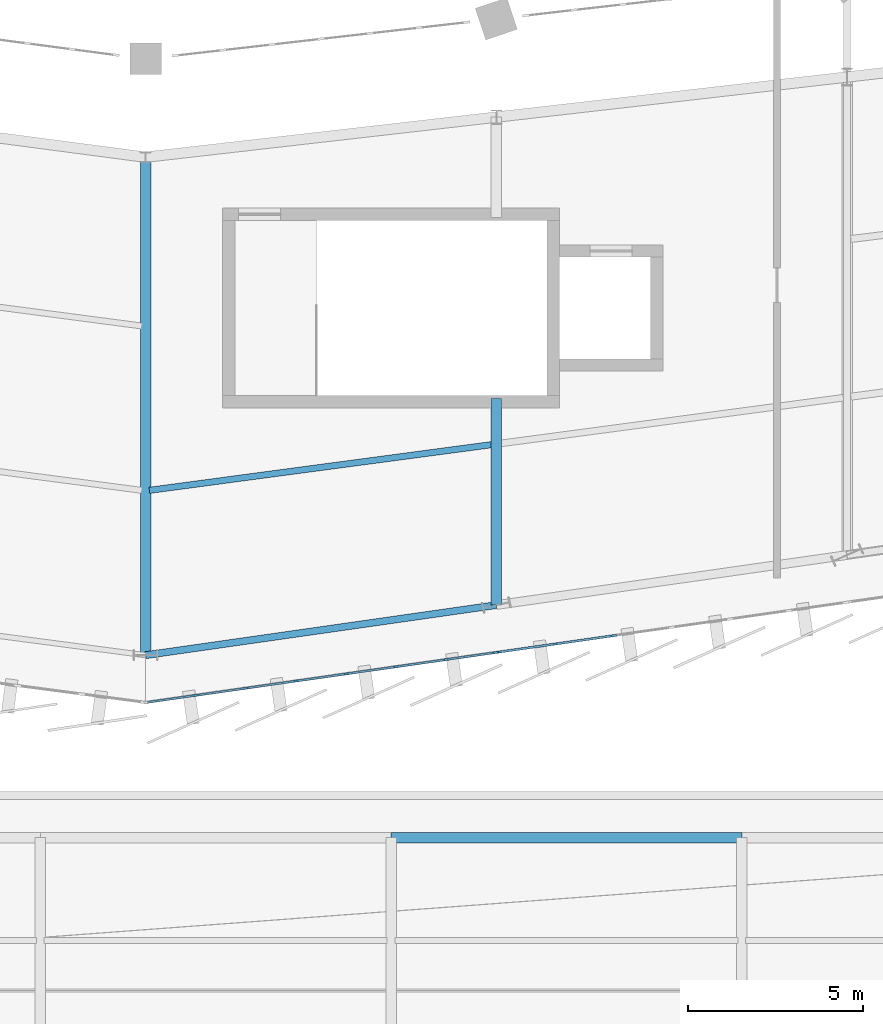
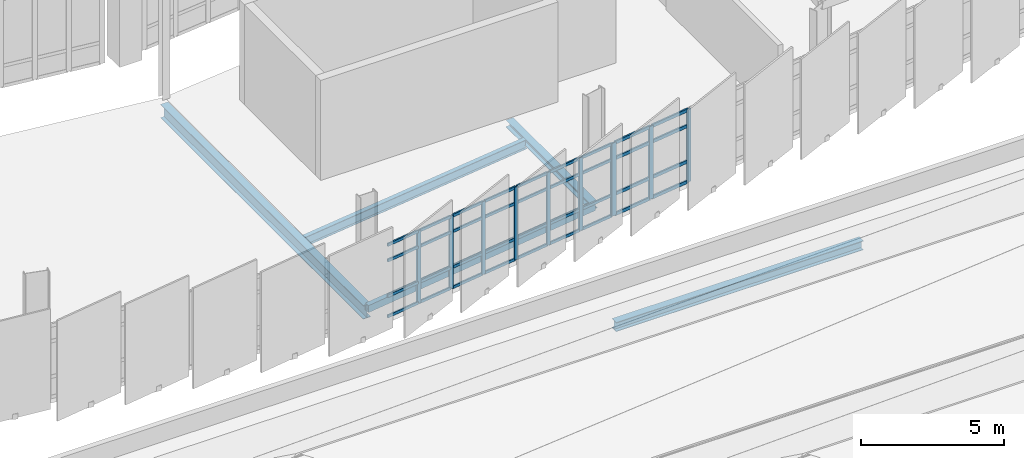
# One storey, part 14 of 67: 46 members, 5 beams, 2 elements without a shape of their own.
"""IFC4 building model written with IfcOpenShell, lengths in metres."""

from ifc_helpers import new_model, si_unit, direction, frame, origin, origin_2d, place, context, subcontext, project, spatial, rectangle, hollow_rectangle, i_section, extrude, material, layer, layer_set, material_profile, profile_set, type_object, element, aggregate, save


model = new_model("IFC4")

# Units and contexts
model_context = context("Model", 3, precision=1e-05, world=origin(), true_north=direction((0.0, 1.0)))
body_context = subcontext(model_context, "Body", "Model", "MODEL_VIEW")
ifc_project = project(units=[si_unit("LENGTHUNIT", "METRE"), si_unit("AREAUNIT", "SQUARE_METRE"), si_unit("VOLUMEUNIT", "CUBIC_METRE"), si_unit("PLANEANGLEUNIT", "RADIAN"), si_unit("MASSUNIT", "GRAM", prefix="KILO")], contexts=[model_context])

# Site, building, storey
site_placement = place(None, origin())
site = spatial("IfcSite", under=ifc_project, at=site_placement, CompositionType="ELEMENT")
building_placement = place(site_placement, origin())
building = spatial("IfcBuilding", under=site, at=building_placement, Name="Sohan Crest Arena", CompositionType="ELEMENT")
storey_placement = place(building_placement, frame((0.0, 0.0, 22.5)))
storey = spatial("IfcBuildingStorey", under=building, at=storey_placement, Name="L05", CompositionType="ELEMENT", Elevation=22.5)

# Curtain wall, members
ifc_material_1 = material(Name="Thermally broken anodised aluminium", Category="aluminium")
ifc_layer_1 = layer(ifc_material_1, 0.179931640625, Name="Thermally broken anodised aluminium")
ifc_layer_set_1 = layer_set([ifc_layer_1], Name="Thermally broken anodised aluminium")
curtain_wall_type_1 = type_object("IfcCurtainWallType", Name="ARC-CW01", PredefinedType="NOTDEFINED", material=ifc_layer_set_1)
curtain_wall_1_placement = place(storey_placement, origin())
curtain_wall_1 = element("IfcCurtainWall", 1, at=curtain_wall_1_placement, inside=storey, type_object=curtain_wall_type_1, Name="Unitised curtain wall CW-158", PredefinedType="NOTDEFINED")
ifc_material_profile_1 = material_profile(ifc_material_1, rectangle(XDim=0.06005859375, YDim=0.159912109375, at=origin_2d()), Name="ALU-MULL 60x160")
ifc_profile_set_1 = profile_set([ifc_material_profile_1], Name="Thermally broken anodised aluminium")
member_type_1 = type_object("IfcMemberType", Name="ARC-CW-ML01", PredefinedType="MULLION", material=ifc_profile_set_1)
member_1_placement = place(storey_placement, frame((99.428466796875, 28.854248046875, 0.0), z_axis=(0.0, 0.0, 1.0), x_axis=(-0.141462933734, 0.989943553128, 0.0)))
member_1 = element("IfcMember", 2, at=member_1_placement, type_object=member_type_1, Name="CW-158 mullion 2", PredefinedType="MULLION", context=body_context, shape_type="SweptSolid", body=[
    extrude(rectangle(XDim=0.06005859375, YDim=0.159912109375, at=origin_2d()), origin(), (0.0, 0.0, 1.0), 3.1201171875),
])
member_2_placement = place(storey_placement, frame((100.857177734375, 29.058349609375, 0.0), z_axis=(0.0, 0.0, 1.0), x_axis=(-0.141462933734, 0.989943553128, 0.0)))
member_2 = element("IfcMember", 3, at=member_2_placement, type_object=member_type_1, Name="CW-158 mullion 3", PredefinedType="MULLION", context=body_context, shape_type="SweptSolid", body=[
    extrude(rectangle(XDim=0.06005859375, YDim=0.159912109375, at=origin_2d()), origin(), (0.0, 0.0, 1.0), 3.1201171875),
])
member_3_placement = place(storey_placement, frame((102.28564453125, 29.262451171875, 0.0), z_axis=(0.0, 0.0, 1.0), x_axis=(-0.141462933734, 0.989943553128, 0.0)))
member_3 = element("IfcMember", 4, at=member_3_placement, type_object=member_type_1, Name="CW-158 mullion 4", PredefinedType="MULLION", context=body_context, shape_type="SweptSolid", body=[
    extrude(rectangle(XDim=0.06005859375, YDim=0.159912109375, at=origin_2d()), origin(), (0.0, 0.0, 1.0), 3.1201171875),
])
member_4_placement = place(storey_placement, frame((103.71435546875, 29.466552734375, 0.0), z_axis=(0.0, 0.0, 1.0), x_axis=(-0.141462933734, 0.989943553128, 0.0)))
member_4 = element("IfcMember", 5, at=member_4_placement, type_object=member_type_1, Name="CW-158 mullion 5", PredefinedType="MULLION", context=body_context, shape_type="SweptSolid", body=[
    extrude(rectangle(XDim=0.06005859375, YDim=0.159912109375, at=origin_2d()), origin(), (0.0, 0.0, 1.0), 3.1201171875),
])
member_5_placement = place(storey_placement, frame((105.142822265625, 29.670654296875, 0.0), z_axis=(0.0, 0.0, 1.0), x_axis=(-0.141462933734, 0.989943553128, 0.0)))
member_5 = element("IfcMember", 6, at=member_5_placement, type_object=member_type_1, Name="CW-158 mullion 6", PredefinedType="MULLION", context=body_context, shape_type="SweptSolid", body=[
    extrude(rectangle(XDim=0.06005859375, YDim=0.159912109375, at=origin_2d()), origin(), (0.0, 0.0, 1.0), 3.1201171875),
])
member_6_placement = place(storey_placement, frame((106.571533203125, 29.874755859375, 0.0), z_axis=(0.0, 0.0, 1.0), x_axis=(-0.141462933734, 0.989943553128, 0.0)))
member_6 = element("IfcMember", 7, at=member_6_placement, type_object=member_type_1, Name="CW-158 mullion 7", PredefinedType="MULLION", context=body_context, shape_type="SweptSolid", body=[
    extrude(rectangle(XDim=0.06005859375, YDim=0.159912109375, at=origin_2d()), origin(), (0.0, 0.0, 1.0), 3.1201171875),
])
member_7_placement = place(storey_placement, frame((107.97021484375, 30.07470703125, 0.0), z_axis=(0.0, 0.0, 1.0), x_axis=(-0.141462933734, 0.989943553128, 0.0)))
member_7 = element("IfcMember", 8, at=member_7_placement, type_object=member_type_1, Name="CW-158 mullion 8", PredefinedType="MULLION", context=body_context, shape_type="SweptSolid", body=[
    extrude(rectangle(XDim=0.06005859375, YDim=0.159912109375, at=origin_2d()), origin(), (0.0, 0.0, 1.0), 3.1201171875),
])

ifc_layer_2 = layer(ifc_material_1, 0.199951171875, Name="Thermally broken anodised aluminium")
ifc_layer_set_2 = layer_set([ifc_layer_2], Name="Thermally broken anodised aluminium")
curtain_wall_type_2 = type_object("IfcCurtainWallType", Name="ARC-CW02", PredefinedType="NOTDEFINED", material=ifc_layer_set_2)
curtain_wall_2_placement = place(storey_placement, origin())
curtain_wall_2 = element("IfcCurtainWall", 9, at=curtain_wall_2_placement, inside=storey, type_object=curtain_wall_type_2, Name="Unitised curtain wall CW-159", PredefinedType="NOTDEFINED")
ifc_material_profile_2 = material_profile(ifc_material_1, rectangle(XDim=0.06494140625, YDim=0.179931640625, at=origin_2d()), Name="ALU-MULL 65x180")
ifc_profile_set_2 = profile_set([ifc_material_profile_2], Name="Thermally broken anodised aluminium")
member_type_2 = type_object("IfcMemberType", Name="ARC-CW-ML02", PredefinedType="MULLION", material=ifc_profile_set_2)
member_8_placement = place(storey_placement, frame((108.0322265625, 30.08349609375, 0.0), z_axis=(0.0, 0.0, 1.0), x_axis=(-0.141365918403, 0.989957411768, 0.0)))
member_8 = element("IfcMember", 10, at=member_8_placement, type_object=member_type_2, Name="CW-159 mullion 1", PredefinedType="MULLION", context=body_context, shape_type="SweptSolid", body=[
    extrude(rectangle(XDim=0.06494140625, YDim=0.179931640625, at=origin_2d()), origin(), (0.0, 0.0, 1.0), 3.1201171875),
])
member_9_placement = place(storey_placement, frame((109.666748046875, 30.31689453125, 0.0), z_axis=(0.0, 0.0, 1.0), x_axis=(-0.141365918403, 0.989957411768, 0.0)))
member_9 = element("IfcMember", 11, at=member_9_placement, type_object=member_type_2, Name="CW-159 mullion 2", PredefinedType="MULLION", context=body_context, shape_type="SweptSolid", body=[
    extrude(rectangle(XDim=0.06494140625, YDim=0.179931640625, at=origin_2d()), origin(), (0.0, 0.0, 1.0), 3.1201171875),
])
member_10_placement = place(storey_placement, frame((111.333251953125, 30.554931640625, 0.0), z_axis=(0.0, 0.0, 1.0), x_axis=(-0.141365918403, 0.989957411768, 0.0)))
member_10 = element("IfcMember", 12, at=member_10_placement, type_object=member_type_2, Name="CW-159 mullion 3", PredefinedType="MULLION", context=body_context, shape_type="SweptSolid", body=[
    extrude(rectangle(XDim=0.06494140625, YDim=0.179931640625, at=origin_2d()), origin(), (0.0, 0.0, 1.0), 3.1201171875),
])

# Member
ifc_material_profile_3 = material_profile(ifc_material_1, rectangle(XDim=0.06005859375, YDim=0.1201171875, at=origin_2d()), Name="ALU-TRAN 60x120")
ifc_profile_set_3 = profile_set([ifc_material_profile_3], Name="Thermally broken anodised aluminium")
member_type_3 = type_object("IfcMemberType", Name="ARC-CW-TR01", PredefinedType="USERDEFINED", material=ifc_profile_set_3)
member_11_placement = place(storey_placement, frame((98.059326171875, 28.658447265625, 0.030029296875), z_axis=(0.989945885007, 0.141446614515, 0.0), x_axis=(-0.141446614515, 0.989945885007, 0.0)))
member_11 = element("IfcMember", 13, at=member_11_placement, type_object=member_type_3, Name="CW-158 transom 1.1", ObjectType="TRANSOM", PredefinedType="USERDEFINED", context=body_context, shape_type="SweptSolid", body=[
    extrude(rectangle(XDim=0.06005859375, YDim=0.1201171875, at=origin_2d()), origin(), (0.0, 0.0, 1.0), 1.353271484375),
])

member_12_placement = place(storey_placement, frame((98.059326171875, 28.658447265625, 0.89990234375), z_axis=(0.989945885007, 0.141446614515, 0.0), x_axis=(-0.141446614515, 0.989945885007, 0.0)))
member_12 = element("IfcMember", 14, at=member_12_placement, type_object=member_type_3, Name="CW-158 transom 1.2", ObjectType="TRANSOM", PredefinedType="USERDEFINED", context=body_context, shape_type="SweptSolid", body=[
    extrude(rectangle(XDim=0.06005859375, YDim=0.1201171875, at=origin_2d()), origin(), (0.0, 0.0, 1.0), 1.353271484375),
])

member_13_placement = place(storey_placement, frame((98.059326171875, 28.658447265625, 2.419921875), z_axis=(0.989945885007, 0.141446614515, 0.0), x_axis=(-0.141446614515, 0.989945885007, 0.0)))
member_13 = element("IfcMember", 15, at=member_13_placement, type_object=member_type_3, Name="CW-158 transom 1.3", ObjectType="TRANSOM", PredefinedType="USERDEFINED", context=body_context, shape_type="SweptSolid", body=[
    extrude(rectangle(XDim=0.06005859375, YDim=0.1201171875, at=origin_2d()), origin(), (0.0, 0.0, 1.0), 1.353271484375),
])

member_14_placement = place(storey_placement, frame((98.059326171875, 28.658447265625, 3.090087890625), z_axis=(0.989945885007, 0.141446614515, 0.0), x_axis=(-0.141446614515, 0.989945885007, 0.0)))
member_14 = element("IfcMember", 16, at=member_14_placement, type_object=member_type_3, Name="CW-158 transom 1.4", ObjectType="TRANSOM", PredefinedType="USERDEFINED", context=body_context, shape_type="SweptSolid", body=[
    extrude(rectangle(XDim=0.06005859375, YDim=0.1201171875, at=origin_2d()), origin(), (0.0, 0.0, 1.0), 1.353271484375),
])

member_15_placement = place(storey_placement, frame((99.458251953125, 28.8583984375, 0.030029296875), z_axis=(0.989953023856, 0.141396642673, 0.0), x_axis=(-0.141396642673, 0.989953023856, 0.0)))
member_15 = element("IfcMember", 17, at=member_15_placement, type_object=member_type_3, Name="CW-158 transom 2.1", ObjectType="TRANSOM", PredefinedType="USERDEFINED", context=body_context, shape_type="SweptSolid", body=[
    extrude(rectangle(XDim=0.06005859375, YDim=0.1201171875, at=origin_2d()), origin(), (0.0, 0.0, 1.0), 1.383056640625),
])

member_16_placement = place(storey_placement, frame((99.458251953125, 28.8583984375, 0.89990234375), z_axis=(0.989953023856, 0.141396642673, 0.0), x_axis=(-0.141396642673, 0.989953023856, 0.0)))
member_16 = element("IfcMember", 18, at=member_16_placement, type_object=member_type_3, Name="CW-158 transom 2.2", ObjectType="TRANSOM", PredefinedType="USERDEFINED", context=body_context, shape_type="SweptSolid", body=[
    extrude(rectangle(XDim=0.06005859375, YDim=0.1201171875, at=origin_2d()), origin(), (0.0, 0.0, 1.0), 1.383056640625),
])

member_17_placement = place(storey_placement, frame((99.458251953125, 28.8583984375, 2.419921875), z_axis=(0.989953023856, 0.141396642673, 0.0), x_axis=(-0.141396642673, 0.989953023856, 0.0)))
member_17 = element("IfcMember", 19, at=member_17_placement, type_object=member_type_3, Name="CW-158 transom 2.3", ObjectType="TRANSOM", PredefinedType="USERDEFINED", context=body_context, shape_type="SweptSolid", body=[
    extrude(rectangle(XDim=0.06005859375, YDim=0.1201171875, at=origin_2d()), origin(), (0.0, 0.0, 1.0), 1.383056640625),
])

member_18_placement = place(storey_placement, frame((99.458251953125, 28.8583984375, 3.090087890625), z_axis=(0.989953023856, 0.141396642673, 0.0), x_axis=(-0.141396642673, 0.989953023856, 0.0)))
member_18 = element("IfcMember", 20, at=member_18_placement, type_object=member_type_3, Name="CW-158 transom 2.4", ObjectType="TRANSOM", PredefinedType="USERDEFINED", context=body_context, shape_type="SweptSolid", body=[
    extrude(rectangle(XDim=0.06005859375, YDim=0.1201171875, at=origin_2d()), origin(), (0.0, 0.0, 1.0), 1.383056640625),
])

member_19_placement = place(storey_placement, frame((100.886962890625, 29.0625, 0.030029296875), z_axis=(0.989928300068, 0.141569632071, 0.0), x_axis=(-0.141569632071, 0.989928300068, 0.0)))
member_19 = element("IfcMember", 21, at=member_19_placement, type_object=member_type_3, Name="CW-158 transom 3.1", ObjectType="TRANSOM", PredefinedType="USERDEFINED", context=body_context, shape_type="SweptSolid", body=[
    extrude(rectangle(XDim=0.06005859375, YDim=0.1201171875, at=origin_2d()), origin(), (0.0, 0.0, 1.0), 1.383056640625),
])

member_20_placement = place(storey_placement, frame((100.886962890625, 29.0625, 0.89990234375), z_axis=(0.989928300068, 0.141569632071, 0.0), x_axis=(-0.141569632071, 0.989928300068, 0.0)))
member_20 = element("IfcMember", 22, at=member_20_placement, type_object=member_type_3, Name="CW-158 transom 3.2", ObjectType="TRANSOM", PredefinedType="USERDEFINED", context=body_context, shape_type="SweptSolid", body=[
    extrude(rectangle(XDim=0.06005859375, YDim=0.1201171875, at=origin_2d()), origin(), (0.0, 0.0, 1.0), 1.383056640625),
])

member_21_placement = place(storey_placement, frame((100.886962890625, 29.0625, 2.419921875), z_axis=(0.989928300068, 0.141569632071, 0.0), x_axis=(-0.141569632071, 0.989928300068, 0.0)))
member_21 = element("IfcMember", 23, at=member_21_placement, type_object=member_type_3, Name="CW-158 transom 3.3", ObjectType="TRANSOM", PredefinedType="USERDEFINED", context=body_context, shape_type="SweptSolid", body=[
    extrude(rectangle(XDim=0.06005859375, YDim=0.1201171875, at=origin_2d()), origin(), (0.0, 0.0, 1.0), 1.383056640625),
])

member_22_placement = place(storey_placement, frame((100.886962890625, 29.0625, 3.090087890625), z_axis=(0.989928300068, 0.141569632071, 0.0), x_axis=(-0.141569632071, 0.989928300068, 0.0)))
member_22 = element("IfcMember", 24, at=member_22_placement, type_object=member_type_3, Name="CW-158 transom 3.4", ObjectType="TRANSOM", PredefinedType="USERDEFINED", context=body_context, shape_type="SweptSolid", body=[
    extrude(rectangle(XDim=0.06005859375, YDim=0.1201171875, at=origin_2d()), origin(), (0.0, 0.0, 1.0), 1.383056640625),
])

member_23_placement = place(storey_placement, frame((102.3154296875, 29.2666015625, 0.030029296875), z_axis=(0.989928300068, 0.141569632071, 0.0), x_axis=(-0.141569632071, 0.989928300068, 0.0)))
member_23 = element("IfcMember", 25, at=member_23_placement, type_object=member_type_3, Name="CW-158 transom 4.1", ObjectType="TRANSOM", PredefinedType="USERDEFINED", context=body_context, shape_type="SweptSolid", body=[
    extrude(rectangle(XDim=0.06005859375, YDim=0.1201171875, at=origin_2d()), origin(), (0.0, 0.0, 1.0), 1.383056640625),
])

member_24_placement = place(storey_placement, frame((102.3154296875, 29.2666015625, 0.89990234375), z_axis=(0.989928300068, 0.141569632071, 0.0), x_axis=(-0.141569632071, 0.989928300068, 0.0)))
member_24 = element("IfcMember", 26, at=member_24_placement, type_object=member_type_3, Name="CW-158 transom 4.2", ObjectType="TRANSOM", PredefinedType="USERDEFINED", context=body_context, shape_type="SweptSolid", body=[
    extrude(rectangle(XDim=0.06005859375, YDim=0.1201171875, at=origin_2d()), origin(), (0.0, 0.0, 1.0), 1.383056640625),
])

member_25_placement = place(storey_placement, frame((102.3154296875, 29.2666015625, 2.419921875), z_axis=(0.989928300068, 0.141569632071, 0.0), x_axis=(-0.141569632071, 0.989928300068, 0.0)))
member_25 = element("IfcMember", 27, at=member_25_placement, type_object=member_type_3, Name="CW-158 transom 4.3", ObjectType="TRANSOM", PredefinedType="USERDEFINED", context=body_context, shape_type="SweptSolid", body=[
    extrude(rectangle(XDim=0.06005859375, YDim=0.1201171875, at=origin_2d()), origin(), (0.0, 0.0, 1.0), 1.383056640625),
])

member_26_placement = place(storey_placement, frame((102.3154296875, 29.2666015625, 3.090087890625), z_axis=(0.989928300068, 0.141569632071, 0.0), x_axis=(-0.141569632071, 0.989928300068, 0.0)))
member_26 = element("IfcMember", 28, at=member_26_placement, type_object=member_type_3, Name="CW-158 transom 4.4", ObjectType="TRANSOM", PredefinedType="USERDEFINED", context=body_context, shape_type="SweptSolid", body=[
    extrude(rectangle(XDim=0.06005859375, YDim=0.1201171875, at=origin_2d()), origin(), (0.0, 0.0, 1.0), 1.383056640625),
])

member_27_placement = place(storey_placement, frame((103.743896484375, 29.470703125, 0.030029296875), z_axis=(0.989928300068, 0.141569632071, 0.0), x_axis=(-0.141569632071, 0.989928300068, 0.0)))
member_27 = element("IfcMember", 29, at=member_27_placement, type_object=member_type_3, Name="CW-158 transom 5.1", ObjectType="TRANSOM", PredefinedType="USERDEFINED", context=body_context, shape_type="SweptSolid", body=[
    extrude(rectangle(XDim=0.06005859375, YDim=0.1201171875, at=origin_2d()), origin(), (0.0, 0.0, 1.0), 1.383056640625),
])

member_28_placement = place(storey_placement, frame((103.743896484375, 29.470703125, 0.89990234375), z_axis=(0.989928300068, 0.141569632071, 0.0), x_axis=(-0.141569632071, 0.989928300068, 0.0)))
member_28 = element("IfcMember", 30, at=member_28_placement, type_object=member_type_3, Name="CW-158 transom 5.2", ObjectType="TRANSOM", PredefinedType="USERDEFINED", context=body_context, shape_type="SweptSolid", body=[
    extrude(rectangle(XDim=0.06005859375, YDim=0.1201171875, at=origin_2d()), origin(), (0.0, 0.0, 1.0), 1.383056640625),
])

member_29_placement = place(storey_placement, frame((103.743896484375, 29.470703125, 2.419921875), z_axis=(0.989928300068, 0.141569632071, 0.0), x_axis=(-0.141569632071, 0.989928300068, 0.0)))
member_29 = element("IfcMember", 31, at=member_29_placement, type_object=member_type_3, Name="CW-158 transom 5.3", ObjectType="TRANSOM", PredefinedType="USERDEFINED", context=body_context, shape_type="SweptSolid", body=[
    extrude(rectangle(XDim=0.06005859375, YDim=0.1201171875, at=origin_2d()), origin(), (0.0, 0.0, 1.0), 1.383056640625),
])

member_30_placement = place(storey_placement, frame((103.743896484375, 29.470703125, 3.090087890625), z_axis=(0.989928300068, 0.141569632071, 0.0), x_axis=(-0.141569632071, 0.989928300068, 0.0)))
member_30 = element("IfcMember", 32, at=member_30_placement, type_object=member_type_3, Name="CW-158 transom 5.4", ObjectType="TRANSOM", PredefinedType="USERDEFINED", context=body_context, shape_type="SweptSolid", body=[
    extrude(rectangle(XDim=0.06005859375, YDim=0.1201171875, at=origin_2d()), origin(), (0.0, 0.0, 1.0), 1.383056640625),
])

member_31_placement = place(storey_placement, frame((105.172607421875, 29.675048828125, 0.030029296875), z_axis=(0.989953023856, 0.141396642673, 0.0), x_axis=(-0.141396642673, 0.989953023856, 0.0)))
member_31 = element("IfcMember", 33, at=member_31_placement, type_object=member_type_3, Name="CW-158 transom 6.1", ObjectType="TRANSOM", PredefinedType="USERDEFINED", context=body_context, shape_type="SweptSolid", body=[
    extrude(rectangle(XDim=0.06005859375, YDim=0.1201171875, at=origin_2d()), origin(), (0.0, 0.0, 1.0), 1.383056640625),
])

member_32_placement = place(storey_placement, frame((105.172607421875, 29.675048828125, 0.89990234375), z_axis=(0.989953023856, 0.141396642673, 0.0), x_axis=(-0.141396642673, 0.989953023856, 0.0)))
member_32 = element("IfcMember", 34, at=member_32_placement, type_object=member_type_3, Name="CW-158 transom 6.2", ObjectType="TRANSOM", PredefinedType="USERDEFINED", context=body_context, shape_type="SweptSolid", body=[
    extrude(rectangle(XDim=0.06005859375, YDim=0.1201171875, at=origin_2d()), origin(), (0.0, 0.0, 1.0), 1.383056640625),
])

member_33_placement = place(storey_placement, frame((105.172607421875, 29.675048828125, 2.419921875), z_axis=(0.989953023856, 0.141396642673, 0.0), x_axis=(-0.141396642673, 0.989953023856, 0.0)))
member_33 = element("IfcMember", 35, at=member_33_placement, type_object=member_type_3, Name="CW-158 transom 6.3", ObjectType="TRANSOM", PredefinedType="USERDEFINED", context=body_context, shape_type="SweptSolid", body=[
    extrude(rectangle(XDim=0.06005859375, YDim=0.1201171875, at=origin_2d()), origin(), (0.0, 0.0, 1.0), 1.383056640625),
])

member_34_placement = place(storey_placement, frame((105.172607421875, 29.675048828125, 3.090087890625), z_axis=(0.989953023856, 0.141396642673, 0.0), x_axis=(-0.141396642673, 0.989953023856, 0.0)))
member_34 = element("IfcMember", 36, at=member_34_placement, type_object=member_type_3, Name="CW-158 transom 6.4", ObjectType="TRANSOM", PredefinedType="USERDEFINED", context=body_context, shape_type="SweptSolid", body=[
    extrude(rectangle(XDim=0.06005859375, YDim=0.1201171875, at=origin_2d()), origin(), (0.0, 0.0, 1.0), 1.383056640625),
])

member_35_placement = place(storey_placement, frame((106.60107421875, 29.879150390625, 0.030029296875), z_axis=(0.989945885007, 0.141446614515, 0.0), x_axis=(-0.141446614515, 0.989945885007, 0.0)))
member_35 = element("IfcMember", 37, at=member_35_placement, type_object=member_type_3, Name="CW-158 transom 7.1", ObjectType="TRANSOM", PredefinedType="USERDEFINED", context=body_context, shape_type="SweptSolid", body=[
    extrude(rectangle(XDim=0.06005859375, YDim=0.1201171875, at=origin_2d()), origin(), (0.0, 0.0, 1.0), 1.353271484375),
])

member_36_placement = place(storey_placement, frame((106.60107421875, 29.879150390625, 0.89990234375), z_axis=(0.989945885007, 0.141446614515, 0.0), x_axis=(-0.141446614515, 0.989945885007, 0.0)))
member_36 = element("IfcMember", 38, at=member_36_placement, type_object=member_type_3, Name="CW-158 transom 7.2", ObjectType="TRANSOM", PredefinedType="USERDEFINED", context=body_context, shape_type="SweptSolid", body=[
    extrude(rectangle(XDim=0.06005859375, YDim=0.1201171875, at=origin_2d()), origin(), (0.0, 0.0, 1.0), 1.353271484375),
])

member_37_placement = place(storey_placement, frame((106.60107421875, 29.879150390625, 2.419921875), z_axis=(0.989945885007, 0.141446614515, 0.0), x_axis=(-0.141446614515, 0.989945885007, 0.0)))
member_37 = element("IfcMember", 39, at=member_37_placement, type_object=member_type_3, Name="CW-158 transom 7.3", ObjectType="TRANSOM", PredefinedType="USERDEFINED", context=body_context, shape_type="SweptSolid", body=[
    extrude(rectangle(XDim=0.06005859375, YDim=0.1201171875, at=origin_2d()), origin(), (0.0, 0.0, 1.0), 1.353271484375),
])

member_38_placement = place(storey_placement, frame((106.60107421875, 29.879150390625, 3.090087890625), z_axis=(0.989945885007, 0.141446614515, 0.0), x_axis=(-0.141446614515, 0.989945885007, 0.0)))
member_38 = element("IfcMember", 40, at=member_38_placement, type_object=member_type_3, Name="CW-158 transom 7.4", ObjectType="TRANSOM", PredefinedType="USERDEFINED", context=body_context, shape_type="SweptSolid", body=[
    extrude(rectangle(XDim=0.06005859375, YDim=0.1201171875, at=origin_2d()), origin(), (0.0, 0.0, 1.0), 1.353271484375),
])

aggregate(curtain_wall_1, [member_1, member_2, member_3, member_4, member_5, member_6, member_7, member_11, member_12, member_13, member_14, member_15, member_16, member_17, member_18, member_19, member_20, member_21, member_22, member_23, member_24, member_25, member_26, member_27, member_28, member_29, member_30, member_31, member_32, member_33, member_34, member_35, member_36, member_37, member_38])

ifc_material_profile_4 = material_profile(ifc_material_1, rectangle(XDim=0.06494140625, YDim=0.139892578125, at=origin_2d()), Name="ALU-TRAN 65x140")
ifc_profile_set_4 = profile_set([ifc_material_profile_4], Name="Thermally broken anodised aluminium")
member_type_4 = type_object("IfcMemberType", Name="ARC-CW-TR02", PredefinedType="USERDEFINED", material=ifc_profile_set_4)
member_39_placement = place(storey_placement, frame((108.064453125, 30.088134765625, 0.032470703125), z_axis=(0.989943335402, 0.141464457353, 0.0), x_axis=(-0.141464457353, 0.989943335402, 0.0)))
member_39 = element("IfcMember", 41, at=member_39_placement, type_object=member_type_4, Name="CW-159 transom 1.1", ObjectType="TRANSOM", PredefinedType="USERDEFINED", context=body_context, shape_type="SweptSolid", body=[
    extrude(rectangle(XDim=0.06494140625, YDim=0.139892578125, at=origin_2d()), origin(), (0.0, 0.0, 1.0), 1.5859375),
])

member_40_placement = place(storey_placement, frame((108.064453125, 30.088134765625, 0.89990234375), z_axis=(0.989943335402, 0.141464457353, 0.0), x_axis=(-0.141464457353, 0.989943335402, 0.0)))
member_40 = element("IfcMember", 42, at=member_40_placement, type_object=member_type_4, Name="CW-159 transom 1.2", ObjectType="TRANSOM", PredefinedType="USERDEFINED", context=body_context, shape_type="SweptSolid", body=[
    extrude(rectangle(XDim=0.06494140625, YDim=0.139892578125, at=origin_2d()), origin(), (0.0, 0.0, 1.0), 1.5859375),
])

member_41_placement = place(storey_placement, frame((108.064453125, 30.088134765625, 2.419921875), z_axis=(0.989943335402, 0.141464457353, 0.0), x_axis=(-0.141464457353, 0.989943335402, 0.0)))
member_41 = element("IfcMember", 43, at=member_41_placement, type_object=member_type_4, Name="CW-159 transom 1.3", ObjectType="TRANSOM", PredefinedType="USERDEFINED", context=body_context, shape_type="SweptSolid", body=[
    extrude(rectangle(XDim=0.06494140625, YDim=0.139892578125, at=origin_2d()), origin(), (0.0, 0.0, 1.0), 1.5859375),
])

member_42_placement = place(storey_placement, frame((108.064453125, 30.088134765625, 3.08740234375), z_axis=(0.989943335402, 0.141464457353, 0.0), x_axis=(-0.141464457353, 0.989943335402, 0.0)))
member_42 = element("IfcMember", 44, at=member_42_placement, type_object=member_type_4, Name="CW-159 transom 1.4", ObjectType="TRANSOM", PredefinedType="USERDEFINED", context=body_context, shape_type="SweptSolid", body=[
    extrude(rectangle(XDim=0.06494140625, YDim=0.139892578125, at=origin_2d()), origin(), (0.0, 0.0, 1.0), 1.5859375),
])

member_43_placement = place(storey_placement, frame((109.69873046875, 30.321533203125, 0.032470703125), z_axis=(0.989964569759, 0.141315783343, 0.0), x_axis=(-0.141315783343, 0.989964569759, 0.0)))
member_43 = element("IfcMember", 45, at=member_43_placement, type_object=member_type_4, Name="CW-159 transom 2.1", ObjectType="TRANSOM", PredefinedType="USERDEFINED", context=body_context, shape_type="SweptSolid", body=[
    extrude(rectangle(XDim=0.06494140625, YDim=0.139892578125, at=origin_2d()), origin(), (0.0, 0.0, 1.0), 1.618896484375),
])

member_44_placement = place(storey_placement, frame((109.69873046875, 30.321533203125, 0.89990234375), z_axis=(0.989964569759, 0.141315783343, 0.0), x_axis=(-0.141315783343, 0.989964569759, 0.0)))
member_44 = element("IfcMember", 46, at=member_44_placement, type_object=member_type_4, Name="CW-159 transom 2.2", ObjectType="TRANSOM", PredefinedType="USERDEFINED", context=body_context, shape_type="SweptSolid", body=[
    extrude(rectangle(XDim=0.06494140625, YDim=0.139892578125, at=origin_2d()), origin(), (0.0, 0.0, 1.0), 1.618896484375),
])

member_45_placement = place(storey_placement, frame((109.69873046875, 30.321533203125, 2.419921875), z_axis=(0.989964569759, 0.141315783343, 0.0), x_axis=(-0.141315783343, 0.989964569759, 0.0)))
member_45 = element("IfcMember", 47, at=member_45_placement, type_object=member_type_4, Name="CW-159 transom 2.3", ObjectType="TRANSOM", PredefinedType="USERDEFINED", context=body_context, shape_type="SweptSolid", body=[
    extrude(rectangle(XDim=0.06494140625, YDim=0.139892578125, at=origin_2d()), origin(), (0.0, 0.0, 1.0), 1.618896484375),
])

member_46_placement = place(storey_placement, frame((109.69873046875, 30.321533203125, 3.08740234375), z_axis=(0.989964569759, 0.141315783343, 0.0), x_axis=(-0.141315783343, 0.989964569759, 0.0)))
member_46 = element("IfcMember", 48, at=member_46_placement, type_object=member_type_4, Name="CW-159 transom 2.4", ObjectType="TRANSOM", PredefinedType="USERDEFINED", context=body_context, shape_type="SweptSolid", body=[
    extrude(rectangle(XDim=0.06494140625, YDim=0.139892578125, at=origin_2d()), origin(), (0.0, 0.0, 1.0), 1.618896484375),
])

aggregate(curtain_wall_2, [member_8, member_9, member_10, member_39, member_40, member_41, member_42, member_43, member_44, member_45, member_46])

# Beams
ifc_material_2 = material(Name="Steel S355", Category="steel")
ifc_material_profile_5 = material_profile(ifc_material_2, i_section(OverallWidth=0.179931640625, OverallDepth=0.39990234375, WebThickness=0.008544921875, FlangeThickness=0.013427734375, at=origin_2d()), Name="IPE 400")
ifc_profile_set_5 = profile_set([ifc_material_profile_5], Name="Steel S355")
beam_type_1 = type_object("IfcBeamType", Name="STR-BM-B03", PredefinedType="JOIST", material=ifc_profile_set_5)
beam_1_placement = place(storey_placement, frame((98.10888671875, 34.700927734375, -0.449951171875), z_axis=(0.991216229825, 0.132251222039, 0.0), x_axis=(-0.132251222039, 0.991216229825, 0.0)))
element("IfcBeam", 49, at=beam_1_placement, inside=storey, type_object=beam_type_1, Name="Structural beam J-L05-1760", PredefinedType="JOIST", context=body_context, shape_type="SweptSolid", body=[
    extrude(i_section(OverallWidth=0.179931640625, OverallDepth=0.39990234375, WebThickness=0.008544921875, FlangeThickness=0.013427734375, at=origin_2d()), origin(), (0.0, 0.0, 1.0), 9.868896484375),
])
ifc_material_profile_6 = material_profile(ifc_material_2, i_section(OverallWidth=0.300048828125, OverallDepth=0.389892578125, WebThickness=0.010986328125, FlangeThickness=0.01904296875, at=origin_2d()), Name="HEA 400")
ifc_profile_set_6 = profile_set([ifc_material_profile_6], Name="Steel S355")
beam_type_2 = type_object("IfcBeamType", Name="STR-BM-B09", PredefinedType="BEAM", material=ifc_profile_set_6)
beam_2_placement = place(storey_placement, frame((105.0, 24.800048828125, -0.43505859375), z_axis=(1.0, 0.0, 0.0), x_axis=(0.0, 1.0, 0.0)))
element("IfcBeam", 50, at=beam_2_placement, inside=storey, type_object=beam_type_2, Name="Structural beam G-L05-2908", PredefinedType="BEAM", context=body_context, shape_type="SweptSolid", body=[
    extrude(i_section(OverallWidth=0.300048828125, OverallDepth=0.389892578125, WebThickness=0.010986328125, FlangeThickness=0.01904296875, at=origin_2d()), origin(), (0.0, 0.0, 1.0), 10.0),
])
ifc_material_profile_7 = material_profile(ifc_material_2, i_section(OverallWidth=0.300048828125, OverallDepth=0.590087890625, WebThickness=0.012939453125, FlangeThickness=0.02490234375, at=origin_2d()), Name="HEA 600")
ifc_profile_set_7 = profile_set([ifc_material_profile_7], Name="Steel S355")
beam_type_3 = type_object("IfcBeamType", Name="STR-BM-B11", PredefinedType="BEAM", material=ifc_profile_set_7)
beam_3_placement = place(storey_placement, frame((98.0, 44.199951171875, -0.544921875), z_axis=(0.0, -1.0, 0.0), x_axis=(1.0, 0.0, 0.0)))
element("IfcBeam", 51, at=beam_3_placement, inside=storey, type_object=beam_type_3, Name="Structural beam G-L05-1757", PredefinedType="BEAM", context=body_context, shape_type="SweptSolid", body=[
    extrude(i_section(OverallWidth=0.300048828125, OverallDepth=0.590087890625, WebThickness=0.012939453125, FlangeThickness=0.02490234375, at=origin_2d()), origin(), (0.0, 0.0, 1.0), 14.199951171875),
])
ifc_material_profile_8 = material_profile(ifc_material_2, i_section(OverallWidth=0.300048828125, OverallDepth=0.300048828125, WebThickness=0.010986328125, FlangeThickness=0.01904296875, at=origin_2d()), Name="HEB 300")
ifc_profile_set_8 = profile_set([ifc_material_profile_8], Name="Steel S355")
beam_type_4 = type_object("IfcBeamType", Name="STR-BM-B12", PredefinedType="BEAM", material=ifc_profile_set_8)
beam_4_placement = place(storey_placement, frame((108.0, 37.320068359375, -0.39990234375), z_axis=(0.0, -1.0, 0.0), x_axis=(1.0, 0.0, 0.0)))
element("IfcBeam", 52, at=beam_4_placement, inside=storey, type_object=beam_type_4, Name="Structural beam G-L05-1762", PredefinedType="BEAM", context=body_context, shape_type="SweptSolid", body=[
    extrude(i_section(OverallWidth=0.300048828125, OverallDepth=0.300048828125, WebThickness=0.010986328125, FlangeThickness=0.01904296875, at=origin_2d()), origin(), (0.0, 0.0, 1.0), 5.89111328125),
])
ifc_material_profile_9 = material_profile(ifc_material_2, hollow_rectangle(XDim=0.199951171875, YDim=0.300048828125, WallThickness=0.010009765625, at=origin_2d()), Name="RHS 300x200x10")
ifc_profile_set_9 = profile_set([ifc_material_profile_9], Name="Steel S355")
beam_type_5 = type_object("IfcBeamType", Name="STR-BM-SP03", PredefinedType="SPANDREL", material=ifc_profile_set_9)
beam_5_placement = place(storey_placement, frame((98.0, 30.0, -0.39990234375), z_axis=(0.989944175879, 0.141458575718, 0.0), x_axis=(-0.141458575718, 0.989944175879, 0.0)))
element("IfcBeam", 53, at=beam_5_placement, inside=storey, type_object=beam_type_5, Name="Structural beam SP-L05-1759", PredefinedType="SPANDREL", context=body_context, shape_type="SweptSolid", body=[
    extrude(hollow_rectangle(XDim=0.199951171875, YDim=0.300048828125, WallThickness=0.010009765625, at=origin_2d()), origin(), (0.0, 0.0, 1.0), 10.1015625),
])

save(model, "model.ifc")
